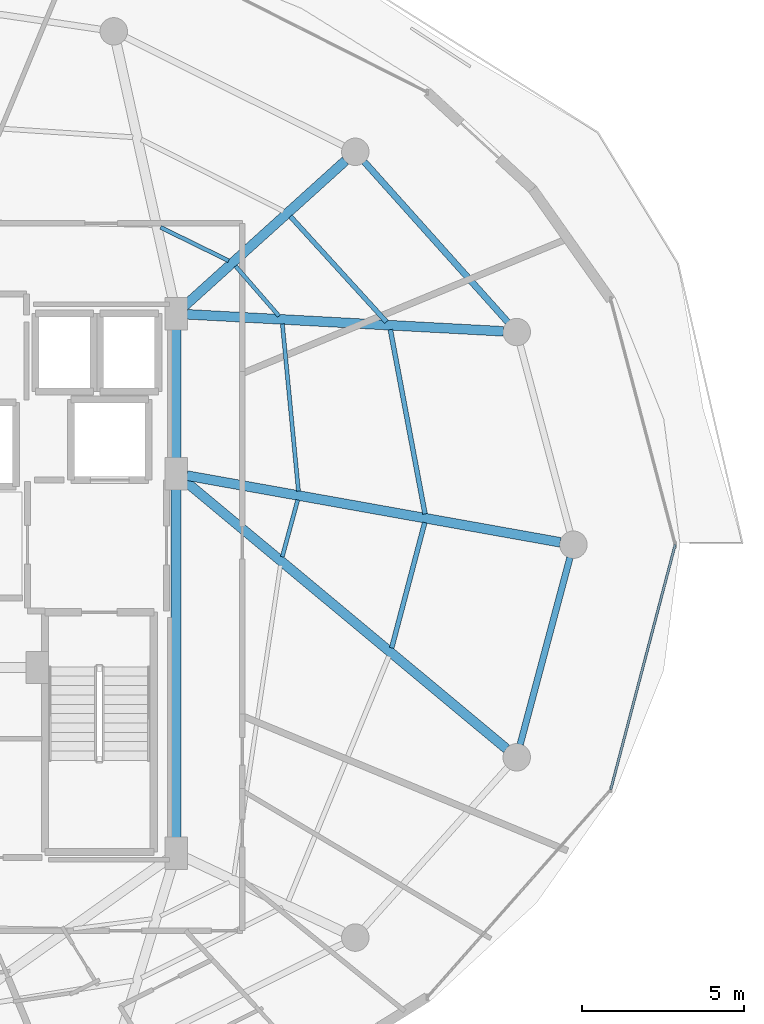
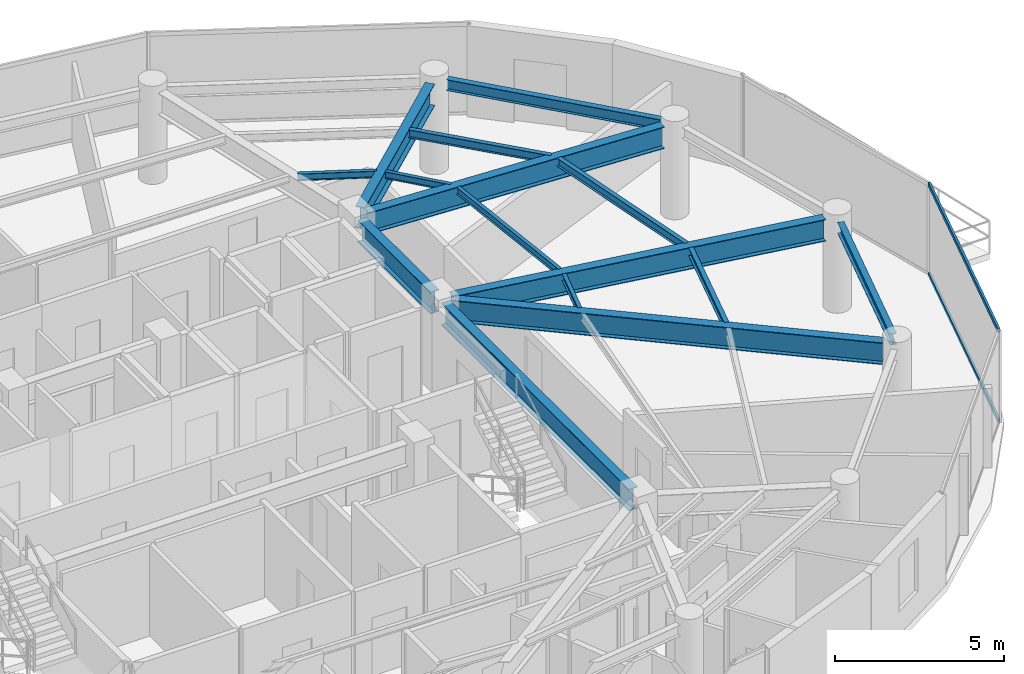
# One storey, part 14 of 31: 15 beams, 2 members, 1 element without a shape of its own.
"""IFC4 building model written with IfcOpenShell, lengths in metres."""

import ifcopenshell
import ifcopenshell.guid

model = None  # the IFC model being written
_history = None  # IfcOwnerHistory: only IFC2X3 demands one
_inside = {}  # id of a spatial element -> (the spatial element, [elements in it])
_under = {}  # id of a project, library or spatial element -> (it, [spatial elements below it])
_declared = {}  # id of a project -> (the project, [libraries it declares])
_typed = {}  # id of a type object -> (the type object, [elements of that type])
_made_of = {}  # id of a material, layer set ... -> (it, [elements and type objects made of it])


def new_model(schema):
    """Start an empty IFC model of exactly this schema.

    Asked for "IFC4X3", IfcOpenShell would pick the latest addendum, in which some entities
    have other attributes; the version numbers below select the first issue.
    IFC2X3 requires an IfcOwnerHistory on every rooted entity: one is made here for all.
    """
    global model, _history
    if schema == "IFC4X3":
        model = ifcopenshell.file(schema_version=(4, 3, 0, 0))
    else:
        model = ifcopenshell.file(schema=schema)
    _inside.clear()
    _under.clear()
    _declared.clear()
    _typed.clear()
    _made_of.clear()
    _history = None
    if model.schema == "IFC2X3":
        org = make("IfcOrganization", Name="unknown")
        user = make(
            "IfcPersonAndOrganization",
            ThePerson=make("IfcPerson", FamilyName="unknown"),
            TheOrganization=org,
        )
        app = make(
            "IfcApplication",
            ApplicationDeveloper=org,
            Version="unknown",
            ApplicationFullName="unknown",
            ApplicationIdentifier="unknown",
        )
        _history = make(
            "IfcOwnerHistory",
            OwningUser=user,
            OwningApplication=app,
            ChangeAction="ADDED",
            CreationDate=0,
        )
    return model


def make(cls, **values):
    """One entity of the class cls with the attributes given. An attribute that is None is left unset."""
    return model.create_entity(
        cls, **{name: value for name, value in values.items() if value is not None}
    )


def rooted(cls, **values):
    """An entity with a GlobalId (a new one), such as an element, a storey or a relation."""
    return make(cls, GlobalId=ifcopenshell.guid.new(), OwnerHistory=_history, **values)


def si_unit(unit_type, name, prefix=None):
    """IfcSIUnit, for example si_unit("LENGTHUNIT", "METRE", prefix="MILLI")."""
    return make("IfcSIUnit", UnitType=unit_type, Prefix=prefix, Name=name)


def assignment(units):
    """IfcUnitAssignment: the units of a project."""
    return None if units is None else make("IfcUnitAssignment", Units=units)


def point(xyz):
    """IfcCartesianPoint."""
    return None if xyz is None else make("IfcCartesianPoint", Coordinates=xyz)


def direction(xyz):
    """IfcDirection."""
    return None if xyz is None else make("IfcDirection", DirectionRatios=xyz)


def frame(location, z_axis=None, x_axis=None):
    """IfcAxis2Placement3D, a coordinate frame: its origin and axes. An axis left out is left unset."""
    return make(
        "IfcAxis2Placement3D",
        Location=point(location),
        Axis=direction(z_axis),
        RefDirection=direction(x_axis),
    )


def frame_2d(location, x_axis=None):
    """IfcAxis2Placement2D, a coordinate frame in the plane: its origin and x axis."""
    return make(
        "IfcAxis2Placement2D", Location=point(location), RefDirection=direction(x_axis)
    )


def origin():
    """The frame at (0, 0, 0) with its axes left unset."""
    return frame((0.0, 0.0, 0.0))


def origin_2d():
    """The frame at (0, 0) in the plane with its x axis left unset."""
    return frame_2d((0.0, 0.0))


def place(relative_to, where):
    """IfcLocalPlacement: puts the frame where relative to a parent placement (None: the world)."""
    return make(
        "IfcLocalPlacement", PlacementRelTo=relative_to, RelativePlacement=where
    )


def context(
    kind, dimensions, precision=None, world=None, true_north=None, identifier=None
):
    """IfcGeometricRepresentationContext, for example the 3D "Model" context."""
    return make(
        "IfcGeometricRepresentationContext",
        ContextIdentifier=identifier,
        ContextType=kind,
        CoordinateSpaceDimension=dimensions,
        Precision=precision,
        WorldCoordinateSystem=world,
        TrueNorth=true_north,
    )


def subcontext(parent, identifier, kind, view, scale=None):
    """IfcGeometricRepresentationSubContext, for example "Body" below "Model"."""
    return make(
        "IfcGeometricRepresentationSubContext",
        ContextIdentifier=identifier,
        ContextType=kind,
        ParentContext=parent,
        TargetScale=scale,
        TargetView=view,
    )


def project(units=None, contexts=None):
    """IfcProject with its units and contexts."""
    return rooted(
        "IfcProject",
        Name="project",
        RepresentationContexts=contexts,
        UnitsInContext=assignment(units),
    )


def spatial(cls, under=None, at=None, **own):
    """A site, building, storey or space (cls), placed at a placement, below another one or the project."""
    s = rooted(cls, ObjectPlacement=at, **own)
    if under is not None:
        _under.setdefault(under.id(), (under, []))[1].append(s)
    return s


def profile(cls, at=None, kind="AREA", **sizes):
    """A parametric profile (cls). Its sizes go by their IFC names, for example OverallWidth=200.0."""
    return make(cls, ProfileType=kind, Position=at, **sizes)


def hollow_rectangle(**sizes):
    """IfcRectangleHollowProfileDef."""
    return profile("IfcRectangleHollowProfileDef", **sizes)


def i_section(**sizes):
    """IfcIShapeProfileDef."""
    return profile("IfcIShapeProfileDef", **sizes)


def extrude(swept, where, along, depth):
    """IfcExtrudedAreaSolid: the profile swept, set in the frame where, extruded along a direction by depth."""
    return make(
        "IfcExtrudedAreaSolid",
        SweptArea=swept,
        Position=where,
        ExtrudedDirection=direction(along),
        Depth=depth,
    )


def shape(context_of_items, identifier, shape_type, items):
    """IfcShapeRepresentation: the items that make up one representation, for example the "Body"."""
    return make(
        "IfcShapeRepresentation",
        ContextOfItems=context_of_items,
        RepresentationIdentifier=identifier,
        RepresentationType=shape_type,
        Items=items,
    )


def material(Name=None, Category=None):
    """IfcMaterial."""
    return make("IfcMaterial", Name=Name, Category=Category)


def material_profile(
    of_material, cross_section, Name=None, Category=None, Priority=None
):
    """IfcMaterialProfile: a cross section and its material."""
    return make(
        "IfcMaterialProfile",
        Name=Name,
        Material=of_material,
        Profile=cross_section,
        Priority=Priority,
        Category=Category,
    )


def profile_set(profiles, Name=None, composite=None):
    """IfcMaterialProfileSet."""
    return make(
        "IfcMaterialProfileSet",
        Name=Name,
        MaterialProfiles=profiles,
        CompositeProfile=composite,
    )


def made_of(thing, what):
    """Note that an element or type object is made of a material, layer set ...; save() writes the relation."""
    if what is not None:
        _made_of.setdefault(what.id(), (what, []))[1].append(thing)
    return thing


def type_object(cls, material=None, **own):
    """A type object (cls), such as IfcWallType, which elements share."""
    return made_of(rooted(cls, **own), material)


def element(
    cls,
    number,
    at=None,
    inside=None,
    cuts=None,
    type_object=None,
    material=None,
    context=None,
    identifier="Body",
    shape_type=None,
    held_by="IfcProductDefinitionShape",
    body=None,
    shapes=None,
    **own,
):
    """One element of the class cls, such as IfcWall. Its Tag is "e" and its number.

    at: its placement. inside: the storey or other place that contains it. cuts: it is an
    opening in that element (IfcRelVoidsElement). A single representation is given by context,
    identifier, shape_type and body (its items); several are given by shapes. held_by: the class
    of the entity that holds the representations. save() writes the other relations.
    """
    e = rooted(cls, Tag="e%d" % number, ObjectPlacement=at, **own)
    if body is not None:
        shapes = [shape(context, identifier, shape_type, body)]
    if shapes is not None:
        e.Representation = make(held_by, Representations=shapes)
    if inside is not None:
        _inside.setdefault(inside.id(), (inside, []))[1].append(e)
    if cuts is not None:
        rooted(
            "IfcRelVoidsElement", RelatingBuildingElement=cuts, RelatedOpeningElement=e
        )
    if type_object is not None:
        _typed.setdefault(type_object.id(), (type_object, []))[1].append(e)
    return made_of(e, material)


def aggregate(whole, parts):
    """IfcRelAggregates: a whole, such as a stair, and the parts it consists of."""
    return rooted("IfcRelAggregates", RelatingObject=whole, RelatedObjects=parts)


def save(model, path):
    """Write the relations noted so far, then the file.

    IfcRelAggregates (storeys below a building ...), IfcRelContainedInSpatialStructure (elements
    in a storey), IfcRelDefinesByType, IfcRelAssociatesMaterial and IfcRelDeclares: one each for
    every whole, place, type object, material and project.
    """
    for whole, parts in _under.values():
        aggregate(whole, parts)
    for where, things in _inside.values():
        rooted(
            "IfcRelContainedInSpatialStructure",
            RelatedElements=things,
            RelatingStructure=where,
        )
    for kind, things in _typed.values():
        rooted("IfcRelDefinesByType", RelatedObjects=things, RelatingType=kind)
    for what, things in _made_of.values():
        rooted("IfcRelAssociatesMaterial", RelatedObjects=things, RelatingMaterial=what)
    for by, libraries in _declared.values():
        rooted("IfcRelDeclares", RelatingContext=by, RelatedDefinitions=libraries)
    model.write(path)


model = new_model("IFC4")

# Units and contexts
model_context = context("Model", 3, precision=1e-05, world=origin(), true_north=direction((0.0, 1.0)))
body_context = subcontext(model_context, "Body", "Model", "MODEL_VIEW")
ifc_project = project(units=[si_unit("LENGTHUNIT", "METRE"), si_unit("AREAUNIT", "SQUARE_METRE"), si_unit("VOLUMEUNIT", "CUBIC_METRE"), si_unit("PLANEANGLEUNIT", "RADIAN"), si_unit("MASSUNIT", "GRAM", prefix="KILO")], contexts=[model_context])

# Site, building, storey
site_placement = place(None, origin())
site = spatial("IfcSite", under=ifc_project, at=site_placement, CompositionType="ELEMENT")
building_placement = place(site_placement, origin())
building = spatial("IfcBuilding", under=site, at=building_placement, Name="Vorneva Point Tower", CompositionType="ELEMENT")
storey_placement = place(building_placement, frame((0.0, 0.0, 244.89990234375)))
storey = spatial("IfcBuildingStorey", under=building, at=storey_placement, Name="L66", CompositionType="ELEMENT", Elevation=244.89990234375)

# Beams
ifc_material_1 = material(Name="Steel S355", Category="steel")
ifc_material_profile_1 = material_profile(ifc_material_1, i_section(OverallWidth=0.300048828125, OverallDepth=0.7880859375, WebThickness=0.014404296875, FlangeThickness=0.02197265625, at=origin_2d()), Name="80Sh1")
ifc_profile_set_1 = profile_set([ifc_material_profile_1], Name="Steel S355")
beam_type_1 = type_object("IfcBeamType", Name="BM-GRD-80Sh1", PredefinedType="USERDEFINED", material=ifc_profile_set_1)
beam_1_placement = place(storey_placement, frame((60.6435546875, 26.07275390625, 2.89599609375), z_axis=(-0.9843788355, 0.17606336422, 0.0), x_axis=(-0.17606336422, -0.9843788355, 0.0)))
element("IfcBeam", 1, at=beam_1_placement, inside=storey, type_object=beam_type_1, Name="L66 Radial Primary Girder 01", ObjectType="GIRDER", PredefinedType="USERDEFINED", context=body_context, shape_type="SweptSolid", body=[
    extrude(i_section(OverallWidth=0.300048828125, OverallDepth=0.7880859375, WebThickness=0.014404296875, FlangeThickness=0.02197265625, at=origin_2d()), origin(), (0.0, 0.0, 1.0), 11.7421875),
])
beam_2_placement = place(storey_placement, frame((58.883056640625, 32.6044921875, 2.89599609375), z_axis=(-0.998554756376, 0.05374382308, 0.0), x_axis=(-0.05374382308, -0.998554756376, 0.0)))
element("IfcBeam", 2, at=beam_2_placement, inside=storey, type_object=beam_type_1, Name="L66 Radial Primary Girder 02", ObjectType="GIRDER", PredefinedType="USERDEFINED", context=body_context, shape_type="SweptSolid", body=[
    extrude(i_section(OverallWidth=0.300048828125, OverallDepth=0.7880859375, WebThickness=0.014404296875, FlangeThickness=0.02197265625, at=origin_2d()), origin(), (0.0, 0.0, 1.0), 9.8076171875),
])
beam_3_placement = place(storey_placement, frame((53.9921875, 37.885498046875, 2.89599609375), z_axis=(-0.7420671051, -0.670325601128, 0.0), x_axis=(0.670325601128, -0.7420671051, 0.0)))
element("IfcBeam", 3, at=beam_3_placement, inside=storey, type_object=beam_type_1, Name="L66 Radial Primary Girder 03", ObjectType="GIRDER", PredefinedType="USERDEFINED", context=body_context, shape_type="SweptSolid", body=[
    extrude(i_section(OverallWidth=0.300048828125, OverallDepth=0.7880859375, WebThickness=0.014404296875, FlangeThickness=0.02197265625, at=origin_2d()), origin(), (0.0, 0.0, 1.0), 6.724365234375),
])
beam_4_placement = place(storey_placement, frame((58.97802734375, 19.68212890625, 2.89599609375), z_axis=(-0.768424898021, 0.639939978515, 0.0), x_axis=(-0.639939978515, -0.768424898021, 0.0)))
element("IfcBeam", 4, at=beam_4_placement, inside=storey, type_object=beam_type_1, Name="L66 Radial Primary Girder 16", ObjectType="GIRDER", PredefinedType="USERDEFINED", context=body_context, shape_type="SweptSolid", body=[
    extrude(i_section(OverallWidth=0.300048828125, OverallDepth=0.7880859375, WebThickness=0.014404296875, FlangeThickness=0.02197265625, at=origin_2d()), origin(), (0.0, 0.0, 1.0), 12.970458984375),
])
beam_5_placement = place(storey_placement, frame((48.75, 16.77001953125, 2.89599609375), z_axis=(0.0, 1.0, 0.0), x_axis=(-1.0, 0.0, 0.0)))
element("IfcBeam", 5, at=beam_5_placement, inside=storey, type_object=beam_type_1, Name="L66 Core Tie Girder CT3", ObjectType="GIRDER", PredefinedType="USERDEFINED", context=body_context, shape_type="SweptSolid", body=[
    extrude(i_section(OverallWidth=0.300048828125, OverallDepth=0.7880859375, WebThickness=0.014404296875, FlangeThickness=0.02197265625, at=origin_2d()), origin(), (0.0, 0.0, 1.0), 11.10986328125),
])
beam_6_placement = place(storey_placement, frame((48.75, 28.52001953125, 2.89599609375), z_axis=(0.0, 1.0, 0.0), x_axis=(-1.0, 0.0, 0.0)))
element("IfcBeam", 6, at=beam_6_placement, inside=storey, type_object=beam_type_1, Name="L66 Core Tie Girder CT4", ObjectType="GIRDER", PredefinedType="USERDEFINED", context=body_context, shape_type="SweptSolid", body=[
    extrude(i_section(OverallWidth=0.300048828125, OverallDepth=0.7880859375, WebThickness=0.014404296875, FlangeThickness=0.02197265625, at=origin_2d()), origin(), (0.0, 0.0, 1.0), 4.31005859375),
])
ifc_material_profile_2 = material_profile(ifc_material_1, i_section(OverallWidth=0.1240234375, OverallDepth=0.248046875, WebThickness=0.0048828125, FlangeThickness=0.008056640625, at=origin_2d()), Name="25B1")
ifc_profile_set_2 = profile_set([ifc_material_profile_2], Name="Steel S355")
beam_type_2 = type_object("IfcBeamType", Name="BM-JST-25B1", PredefinedType="JOIST", material=ifc_profile_set_2)
beam_7_placement = place(storey_placement, frame((52.5390625, 27.6572265625, 3.166015625), z_axis=(-0.095772312645, 0.995403267089, 0.0), x_axis=(-0.995403267089, -0.095772312645, 0.0)))
element("IfcBeam", 7, at=beam_7_placement, inside=storey, type_object=beam_type_2, Name="L66 Secondary Floor Beam 2.01", PredefinedType="JOIST", context=body_context, shape_type="SweptSolid", body=[
    extrude(i_section(OverallWidth=0.1240234375, OverallDepth=0.248046875, WebThickness=0.0048828125, FlangeThickness=0.008056640625, at=origin_2d()), origin(), (0.0, 0.0, 1.0), 5.202880859375),
])
beam_8_placement = place(storey_placement, frame((51.93701171875, 33.07763671875, 3.166015625), z_axis=(-0.656396623312, 0.754415981342, 0.0), x_axis=(-0.754415981342, -0.656396623312, 0.0)))
element("IfcBeam", 8, at=beam_8_placement, inside=storey, type_object=beam_type_2, Name="L66 Secondary Floor Beam 2.02", PredefinedType="JOIST", context=body_context, shape_type="SweptSolid", body=[
    extrude(i_section(OverallWidth=0.1240234375, OverallDepth=0.248046875, WebThickness=0.0048828125, FlangeThickness=0.008056640625, at=origin_2d()), origin(), (0.0, 0.0, 1.0), 2.052490234375),
])
beam_9_placement = place(storey_placement, frame((50.37548828125, 34.791015625, 3.166015625), z_axis=(-0.897898931546, 0.440201668249, 0.0), x_axis=(-0.440201668249, -0.897898931546, 0.0)))
element("IfcBeam", 9, at=beam_9_placement, inside=storey, type_object=beam_type_2, Name="L66 Secondary Floor Beam 2.03", PredefinedType="JOIST", context=body_context, shape_type="SweptSolid", body=[
    extrude(i_section(OverallWidth=0.1240234375, OverallDepth=0.248046875, WebThickness=0.0048828125, FlangeThickness=0.008056640625, at=origin_2d()), origin(), (0.0, 0.0, 1.0), 2.34423828125),
])
beam_10_placement = place(storey_placement, frame((52.03759765625, 25.62548828125, 3.166015625), z_axis=(0.262189126288, 0.965016508696, 0.0), x_axis=(-0.965016508696, 0.262189126288, 0.0)))
element("IfcBeam", 10, at=beam_10_placement, inside=storey, type_object=beam_type_2, Name="L66 Secondary Floor Beam 2.16", PredefinedType="JOIST", context=body_context, shape_type="SweptSolid", body=[
    extrude(i_section(OverallWidth=0.1240234375, OverallDepth=0.248046875, WebThickness=0.0048828125, FlangeThickness=0.008056640625, at=origin_2d()), origin(), (0.0, 0.0, 1.0), 1.8251953125),
])
ifc_material_profile_3 = material_profile(ifc_material_1, i_section(OverallWidth=0.14892578125, OverallDepth=0.298095703125, WebThickness=0.005615234375, FlangeThickness=0.008056640625, at=origin_2d()), Name="30B1")
ifc_profile_set_3 = profile_set([ifc_material_profile_3], Name="Steel S355")
beam_type_3 = type_object("IfcBeamType", Name="BM-JST-30B1", PredefinedType="JOIST", material=ifc_profile_set_3)
beam_11_placement = place(storey_placement, frame((56.456787109375, 26.95263671875, 3.14111328125), z_axis=(-0.184968874114, 0.982744379587, 0.0), x_axis=(-0.982744379587, -0.184968874114, 0.0)))
element("IfcBeam", 11, at=beam_11_placement, inside=storey, type_object=beam_type_3, Name="L66 Secondary Floor Beam 1.01", PredefinedType="JOIST", context=body_context, shape_type="SweptSolid", body=[
    extrude(i_section(OverallWidth=0.14892578125, OverallDepth=0.298095703125, WebThickness=0.005615234375, FlangeThickness=0.008056640625, at=origin_2d()), origin(), (0.0, 0.0, 1.0), 5.80615234375),
])
beam_12_placement = place(storey_placement, frame((55.264404296875, 32.896240234375, 3.14111328125), z_axis=(-0.673657092993, 0.739044058944, 0.0), x_axis=(-0.739044058944, -0.673657092993, 0.0)))
element("IfcBeam", 12, at=beam_12_placement, inside=storey, type_object=beam_type_3, Name="L66 Secondary Floor Beam 1.02", PredefinedType="JOIST", context=body_context, shape_type="SweptSolid", body=[
    extrude(i_section(OverallWidth=0.14892578125, OverallDepth=0.298095703125, WebThickness=0.005615234375, FlangeThickness=0.008056640625, at=origin_2d()), origin(), (0.0, 0.0, 1.0), 4.4169921875),
])
beam_13_placement = place(storey_placement, frame((55.425048828125, 22.8037109375, 3.14111328125), z_axis=(0.254771835219, 0.967001195438, 0.0), x_axis=(-0.967001195438, 0.254771835219, 0.0)))
element("IfcBeam", 13, at=beam_13_placement, inside=storey, type_object=beam_type_3, Name="L66 Secondary Floor Beam 1.16", PredefinedType="JOIST", context=body_context, shape_type="SweptSolid", body=[
    extrude(i_section(OverallWidth=0.14892578125, OverallDepth=0.298095703125, WebThickness=0.005615234375, FlangeThickness=0.008056640625, at=origin_2d()), origin(), (0.0, 0.0, 1.0), 4.01220703125),
])
ifc_material_profile_4 = material_profile(ifc_material_1, i_section(OverallWidth=0.198974609375, OverallDepth=0.39599609375, WebThickness=0.007080078125, FlangeThickness=0.010986328125, at=origin_2d()), Name="40B1")
ifc_profile_set_4 = profile_set([ifc_material_profile_4], Name="Steel S355")
beam_type_4 = type_object("IfcBeamType", Name="BM-SPN-40B1", PredefinedType="SPANDREL", material=ifc_profile_set_4)
beam_14_placement = place(storey_placement, frame((59.02197265625, 32.8876953125, 3.092041015625), z_axis=(-0.667108282638, 0.744960763554, 0.0), x_axis=(-0.744960763554, -0.667108282638, 0.0)))
element("IfcBeam", 14, at=beam_14_placement, inside=storey, type_object=beam_type_4, Name="L66 Perimeter Spandrel Ring Beam 02", PredefinedType="SPANDREL", context=body_context, shape_type="SweptSolid", body=[
    extrude(i_section(OverallWidth=0.198974609375, OverallDepth=0.39599609375, WebThickness=0.007080078125, FlangeThickness=0.010986328125, at=origin_2d()), origin(), (0.0, 0.0, 1.0), 6.670166015625),
])
beam_15_placement = place(storey_placement, frame((59.40087890625, 19.81396484375, 3.092041015625), z_axis=(0.257586570866, 0.966255224312, 0.0), x_axis=(-0.966255224312, 0.257586570866, 0.0)))
element("IfcBeam", 15, at=beam_15_placement, inside=storey, type_object=beam_type_4, Name="L66 Perimeter Spandrel Ring Beam 16", PredefinedType="SPANDREL", context=body_context, shape_type="SweptSolid", body=[
    extrude(i_section(OverallWidth=0.198974609375, OverallDepth=0.39599609375, WebThickness=0.007080078125, FlangeThickness=0.010986328125, at=origin_2d()), origin(), (0.0, 0.0, 1.0), 5.991943359375),
])

# Curtain wall, members
ifc_material_2 = material(Name="Pale anodised aluminium", Category="aluminium")
curtain_wall_type = type_object("IfcCurtainWallType", Name="CW-RES-SYS", PredefinedType="NOTDEFINED", material=ifc_material_2)
curtain_wall_placement = place(storey_placement, origin())
curtain_wall = element("IfcCurtainWall", 16, at=curtain_wall_placement, inside=storey, type_object=curtain_wall_type, Name="L66 Unitised Curtain Wall CW-L66-R01", PredefinedType="NOTDEFINED")
ifc_material_profile_5 = material_profile(ifc_material_2, hollow_rectangle(XDim=0.074951171875, YDim=0.14990234375, WallThickness=0.00390625, at=origin_2d()), Name="AL-TRN 150x75x4")
ifc_profile_set_5 = profile_set([ifc_material_profile_5], Name="Pale anodised aluminium")
member_type = type_object("IfcMemberType", Name="CW-TRN-150", PredefinedType="USERDEFINED", material=ifc_profile_set_5)
member_1_placement = place(storey_placement, frame((62.20556640625, 18.4189453125, 0.02001953125), z_axis=(0.254418180926, 0.967094302131, 0.0), x_axis=(-0.967094302131, 0.254418180926, 0.0)))
member_1 = element("IfcMember", 17, at=member_1_placement, type_object=member_type, Name="CW-L66-R01 Transom 02.1", ObjectType="TRANSOM", PredefinedType="USERDEFINED", context=body_context, shape_type="SweptSolid", body=[
    extrude(hollow_rectangle(XDim=0.074951171875, YDim=0.14990234375, WallThickness=0.00390625, at=origin_2d()), origin(), (0.0, 0.0, 1.0), 7.839111328125),
])
member_2_placement = place(storey_placement, frame((62.20556640625, 18.4189453125, 3.27001953125), z_axis=(0.254418180926, 0.967094302131, 0.0), x_axis=(-0.967094302131, 0.254418180926, 0.0)))
member_2 = element("IfcMember", 18, at=member_2_placement, type_object=member_type, Name="CW-L66-R01 Transom 02.2", ObjectType="TRANSOM", PredefinedType="USERDEFINED", context=body_context, shape_type="SweptSolid", body=[
    extrude(hollow_rectangle(XDim=0.074951171875, YDim=0.14990234375, WallThickness=0.00390625, at=origin_2d()), origin(), (0.0, 0.0, 1.0), 7.839111328125),
])
aggregate(curtain_wall, [member_1, member_2])

save(model, "model.ifc")
